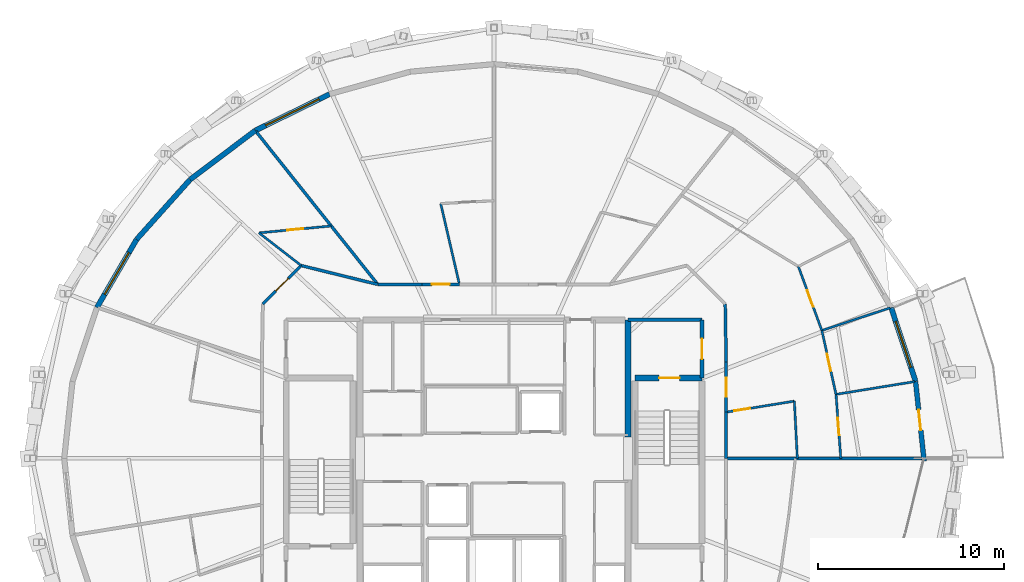
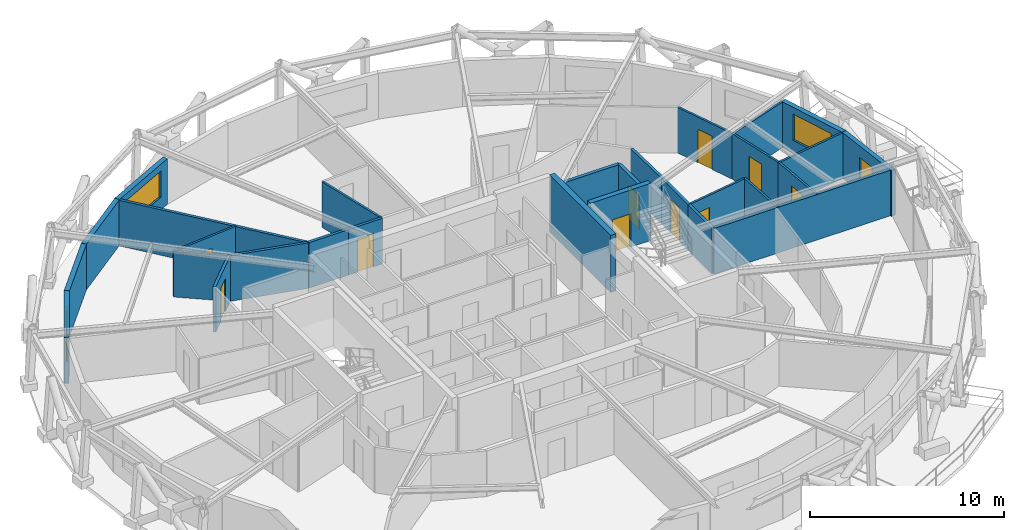
# One storey, part 10 of 12: 29 walls, 11 doors, 3 windows, 14 openings.
"""IFC4 building model written with IfcOpenShell, lengths in metres."""

import ifcopenshell
import ifcopenshell.guid

model = None  # the IFC model being written
_history = None  # IfcOwnerHistory: only IFC2X3 demands one
_inside = {}  # id of a spatial element -> (the spatial element, [elements in it])
_under = {}  # id of a project, library or spatial element -> (it, [spatial elements below it])
_declared = {}  # id of a project -> (the project, [libraries it declares])
_typed = {}  # id of a type object -> (the type object, [elements of that type])
_made_of = {}  # id of a material, layer set ... -> (it, [elements and type objects made of it])


def new_model(schema):
    """Start an empty IFC model of exactly this schema.

    Asked for "IFC4X3", IfcOpenShell would pick the latest addendum, in which some entities
    have other attributes; the version numbers below select the first issue.
    IFC2X3 requires an IfcOwnerHistory on every rooted entity: one is made here for all.
    """
    global model, _history
    if schema == "IFC4X3":
        model = ifcopenshell.file(schema_version=(4, 3, 0, 0))
    else:
        model = ifcopenshell.file(schema=schema)
    _inside.clear()
    _under.clear()
    _declared.clear()
    _typed.clear()
    _made_of.clear()
    _history = None
    if model.schema == "IFC2X3":
        org = make("IfcOrganization", Name="unknown")
        user = make(
            "IfcPersonAndOrganization",
            ThePerson=make("IfcPerson", FamilyName="unknown"),
            TheOrganization=org,
        )
        app = make(
            "IfcApplication",
            ApplicationDeveloper=org,
            Version="unknown",
            ApplicationFullName="unknown",
            ApplicationIdentifier="unknown",
        )
        _history = make(
            "IfcOwnerHistory",
            OwningUser=user,
            OwningApplication=app,
            ChangeAction="ADDED",
            CreationDate=0,
        )
    return model


def make(cls, **values):
    """One entity of the class cls with the attributes given. An attribute that is None is left unset."""
    return model.create_entity(
        cls, **{name: value for name, value in values.items() if value is not None}
    )


def rooted(cls, **values):
    """An entity with a GlobalId (a new one), such as an element, a storey or a relation."""
    return make(cls, GlobalId=ifcopenshell.guid.new(), OwnerHistory=_history, **values)


def si_unit(unit_type, name, prefix=None):
    """IfcSIUnit, for example si_unit("LENGTHUNIT", "METRE", prefix="MILLI")."""
    return make("IfcSIUnit", UnitType=unit_type, Prefix=prefix, Name=name)


def assignment(units):
    """IfcUnitAssignment: the units of a project."""
    return None if units is None else make("IfcUnitAssignment", Units=units)


def point(xyz):
    """IfcCartesianPoint."""
    return None if xyz is None else make("IfcCartesianPoint", Coordinates=xyz)


def direction(xyz):
    """IfcDirection."""
    return None if xyz is None else make("IfcDirection", DirectionRatios=xyz)


def frame(location, z_axis=None, x_axis=None):
    """IfcAxis2Placement3D, a coordinate frame: its origin and axes. An axis left out is left unset."""
    return make(
        "IfcAxis2Placement3D",
        Location=point(location),
        Axis=direction(z_axis),
        RefDirection=direction(x_axis),
    )


def frame_2d(location, x_axis=None):
    """IfcAxis2Placement2D, a coordinate frame in the plane: its origin and x axis."""
    return make(
        "IfcAxis2Placement2D", Location=point(location), RefDirection=direction(x_axis)
    )


def origin():
    """The frame at (0, 0, 0) with its axes left unset."""
    return frame((0.0, 0.0, 0.0))


def place(relative_to, where):
    """IfcLocalPlacement: puts the frame where relative to a parent placement (None: the world)."""
    return make(
        "IfcLocalPlacement", PlacementRelTo=relative_to, RelativePlacement=where
    )


def context(
    kind, dimensions, precision=None, world=None, true_north=None, identifier=None
):
    """IfcGeometricRepresentationContext, for example the 3D "Model" context."""
    return make(
        "IfcGeometricRepresentationContext",
        ContextIdentifier=identifier,
        ContextType=kind,
        CoordinateSpaceDimension=dimensions,
        Precision=precision,
        WorldCoordinateSystem=world,
        TrueNorth=true_north,
    )


def subcontext(parent, identifier, kind, view, scale=None):
    """IfcGeometricRepresentationSubContext, for example "Body" below "Model"."""
    return make(
        "IfcGeometricRepresentationSubContext",
        ContextIdentifier=identifier,
        ContextType=kind,
        ParentContext=parent,
        TargetScale=scale,
        TargetView=view,
    )


def project(units=None, contexts=None):
    """IfcProject with its units and contexts."""
    return rooted(
        "IfcProject",
        Name="project",
        RepresentationContexts=contexts,
        UnitsInContext=assignment(units),
    )


def spatial(cls, under=None, at=None, **own):
    """A site, building, storey or space (cls), placed at a placement, below another one or the project."""
    s = rooted(cls, ObjectPlacement=at, **own)
    if under is not None:
        _under.setdefault(under.id(), (under, []))[1].append(s)
    return s


def profile(cls, at=None, kind="AREA", **sizes):
    """A parametric profile (cls). Its sizes go by their IFC names, for example OverallWidth=200.0."""
    return make(cls, ProfileType=kind, Position=at, **sizes)


def rectangle(**sizes):
    """IfcRectangleProfileDef."""
    return profile("IfcRectangleProfileDef", **sizes)


def extrude(swept, where, along, depth):
    """IfcExtrudedAreaSolid: the profile swept, set in the frame where, extruded along a direction by depth."""
    return make(
        "IfcExtrudedAreaSolid",
        SweptArea=swept,
        Position=where,
        ExtrudedDirection=direction(along),
        Depth=depth,
    )


def shape(context_of_items, identifier, shape_type, items):
    """IfcShapeRepresentation: the items that make up one representation, for example the "Body"."""
    return make(
        "IfcShapeRepresentation",
        ContextOfItems=context_of_items,
        RepresentationIdentifier=identifier,
        RepresentationType=shape_type,
        Items=items,
    )


def material(Name=None, Category=None):
    """IfcMaterial."""
    return make("IfcMaterial", Name=Name, Category=Category)


def layer(
    of_material, thickness, ventilated=None, Name=None, Category=None, Priority=None
):
    """IfcMaterialLayer: one layer of a wall or slab, of a material (None: an air gap)."""
    return make(
        "IfcMaterialLayer",
        Material=of_material,
        LayerThickness=thickness,
        IsVentilated=ventilated,
        Name=Name,
        Category=Category,
        Priority=Priority,
    )


def layer_set(layers, Name=None):
    """IfcMaterialLayerSet."""
    return make("IfcMaterialLayerSet", MaterialLayers=layers, LayerSetName=Name)


def made_of(thing, what):
    """Note that an element or type object is made of a material, layer set ...; save() writes the relation."""
    if what is not None:
        _made_of.setdefault(what.id(), (what, []))[1].append(thing)
    return thing


def type_object(cls, material=None, **own):
    """A type object (cls), such as IfcWallType, which elements share."""
    return made_of(rooted(cls, **own), material)


def element(
    cls,
    number,
    at=None,
    inside=None,
    cuts=None,
    type_object=None,
    material=None,
    context=None,
    identifier="Body",
    shape_type=None,
    held_by="IfcProductDefinitionShape",
    body=None,
    shapes=None,
    **own,
):
    """One element of the class cls, such as IfcWall. Its Tag is "e" and its number.

    at: its placement. inside: the storey or other place that contains it. cuts: it is an
    opening in that element (IfcRelVoidsElement). A single representation is given by context,
    identifier, shape_type and body (its items); several are given by shapes. held_by: the class
    of the entity that holds the representations. save() writes the other relations.
    """
    e = rooted(cls, Tag="e%d" % number, ObjectPlacement=at, **own)
    if body is not None:
        shapes = [shape(context, identifier, shape_type, body)]
    if shapes is not None:
        e.Representation = make(held_by, Representations=shapes)
    if inside is not None:
        _inside.setdefault(inside.id(), (inside, []))[1].append(e)
    if cuts is not None:
        rooted(
            "IfcRelVoidsElement", RelatingBuildingElement=cuts, RelatedOpeningElement=e
        )
    if type_object is not None:
        _typed.setdefault(type_object.id(), (type_object, []))[1].append(e)
    return made_of(e, material)


def fill(opening, filler):
    """IfcRelFillsElement: the door or window that sits in an opening."""
    return rooted(
        "IfcRelFillsElement",
        RelatingOpeningElement=opening,
        RelatedBuildingElement=filler,
    )


def aggregate(whole, parts):
    """IfcRelAggregates: a whole, such as a stair, and the parts it consists of."""
    return rooted("IfcRelAggregates", RelatingObject=whole, RelatedObjects=parts)


def save(model, path):
    """Write the relations noted so far, then the file.

    IfcRelAggregates (storeys below a building ...), IfcRelContainedInSpatialStructure (elements
    in a storey), IfcRelDefinesByType, IfcRelAssociatesMaterial and IfcRelDeclares: one each for
    every whole, place, type object, material and project.
    """
    for whole, parts in _under.values():
        aggregate(whole, parts)
    for where, things in _inside.values():
        rooted(
            "IfcRelContainedInSpatialStructure",
            RelatedElements=things,
            RelatingStructure=where,
        )
    for kind, things in _typed.values():
        rooted("IfcRelDefinesByType", RelatedObjects=things, RelatingType=kind)
    for what, things in _made_of.values():
        rooted("IfcRelAssociatesMaterial", RelatedObjects=things, RelatingMaterial=what)
    for by, libraries in _declared.values():
        rooted("IfcRelDeclares", RelatingContext=by, RelatedDefinitions=libraries)
    model.write(path)


model = new_model("IFC4")

# Units and contexts
model_context = context("Model", 3, precision=1e-05, world=origin(), true_north=direction((0.0, 1.0)))
body_context = subcontext(model_context, "Body", "Model", "MODEL_VIEW")
ifc_project = project(units=[si_unit("LENGTHUNIT", "METRE"), si_unit("AREAUNIT", "SQUARE_METRE"), si_unit("VOLUMEUNIT", "CUBIC_METRE"), si_unit("PLANEANGLEUNIT", "RADIAN"), si_unit("MASSUNIT", "GRAM", prefix="KILO")], contexts=[model_context])

# Site, building, storey
site_placement = place(None, origin())
site = spatial("IfcSite", under=ifc_project, at=site_placement, CompositionType="ELEMENT")
building_placement = place(site_placement, origin())
building = spatial("IfcBuilding", under=site, at=building_placement, Name="Veldorina Hangang Commons", CompositionType="ELEMENT")
storey_placement = place(building_placement, frame((0.0, 0.0, 222.0)))
storey = spatial("IfcBuildingStorey", under=building, at=storey_placement, Name="L57", CompositionType="ELEMENT", Elevation=222.0)

# Wall
ifc_material_1 = material(Name="Concrete C50/60", Category="concrete")
ifc_layer_1 = layer(ifc_material_1, 0.320068359375)
ifc_layer_set_1 = layer_set([ifc_layer_1], Name="Concrete C50/60")
wall_type_1 = type_object("IfcWallType", Name="CW-RC320-C50", PredefinedType="SHEAR", material=ifc_layer_set_1)
wall_1_placement = place(storey_placement, frame((39.199951171875, 25.14990234375, 0.0), z_axis=(0.0, 0.0, 1.0), x_axis=(0.0, 1.0, 0.0)))
element("IfcWall", 1, at=wall_1_placement, inside=storey, type_object=wall_type_1, Name="L57 E north core shear wall", PredefinedType="SHEAR", context=body_context, shape_type="SweptSolid", body=[
    extrude(rectangle(XDim=6.300048828125, YDim=0.320068359375, at=frame_2d((3.14990234375, 0.0))), origin(), (0.0, 0.0, 1.0), 3.60009765625),
])

# Wall, opening, door
ifc_material_2 = material(Name="Stone Roman Travertine", Category="masonry")
ifc_layer_2 = layer(ifc_material_2, 0.260009765625)
ifc_layer_set_2 = layer_set([ifc_layer_2], Name="Stone Roman Travertine")
wall_type_2 = type_object("IfcWallType", Name="EW-LOGGIA-260", PredefinedType="STANDARD", material=ifc_layer_set_2)
wall_2_placement = place(storey_placement, frame((55.121826171875, 23.84716796875, 0.0), z_axis=(0.0, 0.0, 1.0), x_axis=(-0.106721032367, 0.994289002881, 0.0)))
wall_2 = element("IfcWall", 2, at=wall_2_placement, inside=storey, type_object=wall_type_2, Name="L57 sky-garden loggia portal wall 00", PredefinedType="STANDARD", context=body_context, shape_type="SweptSolid", body=[
    extrude(rectangle(XDim=4.312255859375, YDim=0.260009765625, at=frame_2d((2.15625, 0.0))), origin(), (0.0, 0.0, 1.0), 2.8798828125),
])
opening_1_placement = place(wall_2_placement, frame((1.68310546875, 0.0, 0.0)))
opening_1 = element("IfcOpeningElement", 3, at=opening_1_placement, cuts=wall_2, Name="Opening BD-1100", PredefinedType="OPENING", context=body_context, shape_type="SweptSolid", body=[
    extrude(rectangle(XDim=1.10009765625, YDim=2.14990234375, at=frame_2d((0.550048828125, 1.074951171875))), frame((0.0, 0.14013671875, 0.0), z_axis=(0.0, -1.0, 0.0), x_axis=(1.0, 0.0, 0.0)), (0.0, 0.0, 1.0), 0.280029296875),
])
ifc_material_3 = material(Name="Glass Thermal Aluminium Frame", Category="aluminium")
door_type_1 = type_object("IfcDoorType", Name="DR-EXT-BAL1100", OperationType="SINGLE_SWING_RIGHT", PredefinedType="DOOR", material=ifc_material_3)
door_1_placement = place(opening_1_placement, origin())
door_1 = element("IfcDoor", 4, at=door_1_placement, inside=storey, type_object=door_type_1, Name="L57 tree balcony glazed exterior door 00", OperationType="SINGLE_SWING_LEFT", OverallHeight=2.14990234375, OverallWidth=1.10009765625, PredefinedType="DOOR", context=body_context, shape_type="SweptSolid", body=[
    extrude(rectangle(XDim=1.10009765625, YDim=2.14990234375, at=frame_2d((0.550048828125, 1.074951171875))), frame((0.0, 0.02490234375, 0.0), z_axis=(0.0, -1.0, 0.0), x_axis=(1.0, 0.0, 0.0)), (0.0, 0.0, 1.0), 0.050048828125),
])
fill(opening_1, door_1)

# Wall, opening, window
ifc_layer_3 = layer(ifc_material_2, 0.280029296875)
ifc_layer_set_3 = layer_set([ifc_layer_3], Name="Stone Roman Travertine")
wall_type_3 = type_object("IfcWallType", Name="EW-TRAV-280", PredefinedType="STANDARD", material=ifc_layer_set_3)
wall_3_placement = place(storey_placement, frame((54.66162109375, 28.134765625, 0.0), z_axis=(0.0, 0.0, 1.0), x_axis=(-0.313988276285, 0.949426859929, 0.0)))
wall_3 = element("IfcWall", 5, at=wall_3_placement, inside=storey, type_object=wall_type_3, Name="L57 travertine facade wall 01", PredefinedType="STANDARD", context=body_context, shape_type="SweptSolid", body=[
    extrude(rectangle(XDim=4.18798828125, YDim=0.280029296875, at=frame_2d((2.093994140625, 0.0))), origin(), (0.0, 0.0, 1.0), 2.8798828125),
])
opening_2_placement = place(wall_3_placement, frame((0.7939453125, 0.0, 0.800048828125)))
opening_2 = element("IfcOpeningElement", 6, at=opening_2_placement, cuts=wall_3, Name="Opening W-02", PredefinedType="OPENING", context=body_context, shape_type="SweptSolid", body=[
    extrude(rectangle(XDim=2.60009765625, YDim=1.64990234375, at=frame_2d((1.300048828125, 0.824951171875))), frame((0.0, 0.14990234375, 0.0), z_axis=(0.0, -1.0, 0.0), x_axis=(1.0, 0.0, 0.0)), (0.0, 0.0, 1.0), 0.300048828125),
])
ifc_material_4 = material(Name="Glass Low-E Triple IGU", Category="glass")
window_type_1 = type_object("IfcWindowType", Name="WIN-TWR-2600", PartitioningType="SINGLE_PANEL", PredefinedType="WINDOW", material=ifc_material_4)
window_1_placement = place(opening_2_placement, origin())
window_1 = element("IfcWindow", 7, at=window_1_placement, inside=storey, type_object=window_type_1, Name="L57 facade window 01", OverallHeight=1.64990234375, OverallWidth=2.60009765625, PartitioningType="SINGLE_PANEL", PredefinedType="WINDOW", context=body_context, shape_type="SweptSolid", body=[
    extrude(rectangle(XDim=2.60009765625, YDim=1.64990234375, at=frame_2d((1.300048828125, 0.824951171875))), frame((0.0, 0.030029296875, 0.0), z_axis=(0.0, -1.0, 0.0), x_axis=(1.0, 0.0, 0.0)), (0.0, 0.0, 1.0), 0.06005859375),
])
fill(opening_2, window_1)

wall_4_placement = place(storey_placement, frame((23.157958984375, 43.581298828125, 0.0), z_axis=(0.0, 0.0, 1.0), x_axis=(-0.897868409718, -0.440263919519, 0.0)))
wall_4 = element("IfcWall", 8, at=wall_4_placement, inside=storey, type_object=wall_type_3, Name="L57 travertine facade wall 10", PredefinedType="STANDARD", context=body_context, shape_type="SweptSolid", body=[
    extrude(rectangle(XDim=4.448974609375, YDim=0.280029296875, at=frame_2d((2.224609375, 0.0))), origin(), (0.0, 0.0, 1.0), 2.8798828125),
])
opening_3_placement = place(wall_4_placement, frame((0.62451171875, 0.0, 0.800048828125)))
opening_3 = element("IfcOpeningElement", 9, at=opening_3_placement, cuts=wall_4, Name="Opening W-01", PredefinedType="OPENING", context=body_context, shape_type="SweptSolid", body=[
    extrude(rectangle(XDim=3.199951171875, YDim=1.64990234375, at=frame_2d((1.60009765625, 0.824951171875))), frame((0.0, 0.14990234375, 0.0), z_axis=(0.0, -1.0, 0.0), x_axis=(1.0, 0.0, 0.0)), (0.0, 0.0, 1.0), 0.300048828125),
])
window_type_2 = type_object("IfcWindowType", Name="WIN-TWR-3200", PartitioningType="SINGLE_PANEL", PredefinedType="WINDOW", material=ifc_material_4)
window_2_placement = place(opening_3_placement, origin())
window_2 = element("IfcWindow", 10, at=window_2_placement, inside=storey, type_object=window_type_2, Name="L57 facade window 10", OverallHeight=1.64990234375, OverallWidth=3.199951171875, PartitioningType="SINGLE_PANEL", PredefinedType="WINDOW", context=body_context, shape_type="SweptSolid", body=[
    extrude(rectangle(XDim=3.199951171875, YDim=1.64990234375, at=frame_2d((1.60009765625, 0.824951171875))), frame((0.0, 0.030029296875, 0.0), z_axis=(0.0, -1.0, 0.0), x_axis=(1.0, 0.0, 0.0)), (0.0, 0.0, 1.0), 0.06005859375),
])
fill(opening_3, window_2)

# Walls
wall_5_placement = place(storey_placement, frame((19.163330078125, 41.62255859375, 0.0), z_axis=(0.0, 0.0, 1.0), x_axis=(-0.798942565337, -0.601407330594, 0.0)))
element("IfcWall", 11, at=wall_5_placement, inside=storey, type_object=wall_type_3, Name="L57 travertine facade wall 11", PredefinedType="STANDARD", context=body_context, shape_type="SweptSolid", body=[
    extrude(rectangle(XDim=4.382568359375, YDim=0.280029296875, at=frame_2d((2.19140625, 0.0))), origin(), (0.0, 0.0, 1.0), 2.8798828125),
])
wall_6_placement = place(storey_placement, frame((15.661865234375, 38.98681640625, 0.0), z_axis=(0.0, 0.0, 1.0), x_axis=(-0.666726962521, -0.745302057858, 0.0)))
element("IfcWall", 12, at=wall_6_placement, inside=storey, type_object=wall_type_3, Name="L57 travertine facade wall 12", PredefinedType="STANDARD", context=body_context, shape_type="SweptSolid", body=[
    extrude(rectangle(XDim=4.3095703125, YDim=0.280029296875, at=frame_2d((2.15478515625, 0.0))), origin(), (0.0, 0.0, 1.0), 2.8798828125),
])

# Wall, opening, window
wall_7_placement = place(storey_placement, frame((12.78857421875, 35.77490234375, 0.0), z_axis=(0.0, 0.0, 1.0), x_axis=(-0.503498718903, -0.863995972249, 0.0)))
wall_7 = element("IfcWall", 13, at=wall_7_placement, inside=storey, type_object=wall_type_3, Name="L57 travertine facade wall 13", PredefinedType="STANDARD", context=body_context, shape_type="SweptSolid", body=[
    extrude(rectangle(XDim=4.24072265625, YDim=0.280029296875, at=frame_2d((2.120361328125, 0.0))), origin(), (0.0, 0.0, 1.0), 2.8798828125),
])
opening_4_placement = place(wall_7_placement, frame((0.820556640625, 0.0, 0.800048828125)))
opening_4 = element("IfcOpeningElement", 14, at=opening_4_placement, cuts=wall_7, Name="Opening W-02", PredefinedType="OPENING", context=body_context, shape_type="SweptSolid", body=[
    extrude(rectangle(XDim=2.60009765625, YDim=1.64990234375, at=frame_2d((1.300048828125, 0.824951171875))), frame((0.0, 0.14990234375, 0.0), z_axis=(0.0, -1.0, 0.0), x_axis=(1.0, 0.0, 0.0)), (0.0, 0.0, 1.0), 0.300048828125),
])
window_3_placement = place(opening_4_placement, origin())
window_3 = element("IfcWindow", 15, at=window_3_placement, inside=storey, type_object=window_type_1, Name="L57 facade window 13", OverallHeight=1.64990234375, OverallWidth=2.60009765625, PartitioningType="SINGLE_PANEL", PredefinedType="WINDOW", context=body_context, shape_type="SweptSolid", body=[
    extrude(rectangle(XDim=2.60009765625, YDim=1.64990234375, at=frame_2d((1.300048828125, 0.824951171875))), frame((0.0, 0.030029296875, 0.0), z_axis=(0.0, -1.0, 0.0), x_axis=(1.0, 0.0, 0.0)), (0.0, 0.0, 1.0), 0.06005859375),
])
fill(opening_4, window_3)

# Wall, opening, door
ifc_layer_4 = layer(ifc_material_1, 0.300048828125)
ifc_layer_set_4 = layer_set([ifc_layer_4], Name="Concrete C50/60")
wall_type_4 = type_object("IfcWallType", Name="SW-STAIR-300", PredefinedType="SHEAR", material=ifc_layer_set_4)
wall_8_placement = place(storey_placement, frame((39.580078125, 28.320068359375, 0.0), z_axis=(0.0, 0.0, 1.0), x_axis=(1.0, 0.0, 0.0)))
wall_8 = element("IfcWall", 16, at=wall_8_placement, inside=storey, type_object=wall_type_4, Name="L57 ST2 north stair shear wall", PredefinedType="SHEAR", context=body_context, shape_type="SweptSolid", body=[
    extrude(rectangle(XDim=3.599853515625, YDim=0.300048828125, at=frame_2d((1.7998046875, 0.0))), origin(), (0.0, 0.0, 1.0), 3.60009765625),
])
opening_5_placement = place(wall_8_placement, frame((1.300048828125, 0.0, 0.0)))
opening_5 = element("IfcOpeningElement", 17, at=opening_5_placement, cuts=wall_8, Name="Opening D-08", PredefinedType="OPENING", context=body_context, shape_type="SweptSolid", body=[
    extrude(rectangle(XDim=1.10009765625, YDim=2.10009765625, at=frame_2d((0.550048828125, 1.050048828125))), frame((0.0, 0.16015625, 0.0), z_axis=(0.0, -1.0, 0.0), x_axis=(1.0, 0.0, 0.0)), (0.0, 0.0, 1.0), 0.320068359375),
])
ifc_material_5 = material(Name="Steel Fire-Rated Smoke Seal", Category="steel")
door_type_2 = type_object("IfcDoorType", Name="DR-FIRE-1100", OperationType="SINGLE_SWING_RIGHT", PredefinedType="DOOR", material=ifc_material_5)
door_2_placement = place(opening_5_placement, origin())
door_2 = element("IfcDoor", 18, at=door_2_placement, inside=storey, type_object=door_type_2, Name="L57 Special Escape Stair ST-2 door", OperationType="SINGLE_SWING_RIGHT", OverallHeight=2.10009765625, OverallWidth=1.10009765625, PredefinedType="DOOR", context=body_context, shape_type="SweptSolid", body=[
    extrude(rectangle(XDim=1.10009765625, YDim=2.10009765625, at=frame_2d((0.550048828125, 1.050048828125))), frame((0.0, 0.02490234375, 0.0), z_axis=(0.0, -1.0, 0.0), x_axis=(1.0, 0.0, 0.0)), (0.0, 0.0, 1.0), 0.050048828125),
])
fill(opening_5, door_2)

# Wall
ifc_material_6 = material(Name="Gypsum Fire-Rated Twin Stud Wall", Category="gypsum")
ifc_layer_5 = layer(ifc_material_6, 0.159912109375)
ifc_layer_set_5 = layer_set([ifc_layer_5], Name="Gypsum Fire-Rated Twin Stud Wall")
wall_type_5 = type_object("IfcWallType", Name="WL-FIRE-160", PredefinedType="SOLIDWALL", material=ifc_layer_set_5)
wall_9_placement = place(storey_placement, frame((44.47998046875, 24.0, 0.0), z_axis=(0.0, 0.0, 1.0), x_axis=(0.0, 1.0, 0.0)))
element("IfcWall", 19, at=wall_9_placement, inside=storey, type_object=wall_type_5, Name="L57 Compact collar outer wall 00 054", PredefinedType="SOLIDWALL", context=body_context, shape_type="SweptSolid", body=[
    extrude(rectangle(XDim=2.482421875, YDim=0.159912109375, at=frame_2d((1.2412109375, 0.0))), origin(), (0.0, 0.0, 1.0), 2.8701171875),
])

# Wall, opening, door
wall_10_placement = place(storey_placement, frame((44.47998046875, 26.482421875, 0.0), z_axis=(0.0, 0.0, 1.0), x_axis=(0.0, 1.0, 0.0)))
wall_10 = element("IfcWall", 20, at=wall_10_placement, inside=storey, type_object=wall_type_5, Name="L57 Compact collar outer wall 01 055", PredefinedType="SOLIDWALL", context=body_context, shape_type="SweptSolid", body=[
    extrude(rectangle(XDim=2.68701171875, YDim=0.159912109375, at=frame_2d((1.343505859375, 0.0))), origin(), (0.0, 0.0, 1.0), 2.8701171875),
])
opening_6_placement = place(wall_10_placement, frame((0.843505859375, 0.0, 0.0)))
opening_6 = element("IfcOpeningElement", 21, at=opening_6_placement, cuts=wall_10, Name="Opening D-06", PredefinedType="OPENING", context=body_context, shape_type="SweptSolid", body=[
    extrude(rectangle(XDim=1.0, YDim=2.10009765625, at=frame_2d((0.5, 1.050048828125))), frame((0.0, 0.08984375, 0.0), z_axis=(0.0, -1.0, 0.0), x_axis=(1.0, 0.0, 0.0)), (0.0, 0.0, 1.0), 0.179931640625),
])
ifc_material_7 = material(Name="Timber Fire-Rated Entrance Core", Category="wood")
door_type_3 = type_object("IfcDoorType", Name="DR-UNIT-1000", OperationType="SINGLE_SWING_LEFT", PredefinedType="DOOR", material=ifc_material_7)
door_3_placement = place(opening_6_placement, origin())
door_3 = element("IfcDoor", 22, at=door_3_placement, inside=storey, type_object=door_type_3, Name="L57 Cluster 2 entrance door 025", OperationType="SINGLE_SWING_LEFT", OverallHeight=2.10009765625, OverallWidth=1.0, PredefinedType="DOOR", context=body_context, shape_type="SweptSolid", body=[
    extrude(rectangle(XDim=1.0, YDim=2.10009765625, at=frame_2d((0.5, 1.050048828125))), frame((0.0, 0.02490234375, 0.0), z_axis=(0.0, -1.0, 0.0), x_axis=(1.0, 0.0, 0.0)), (0.0, 0.0, 1.0), 0.050048828125),
])
fill(opening_6, door_3)

# Wall
wall_11_placement = place(storey_placement, frame((44.47998046875, 29.16943359375, 0.0), z_axis=(0.0, 0.0, 1.0), x_axis=(-0.016981035134, 0.999855811828, 0.0)))
element("IfcWall", 23, at=wall_11_placement, inside=storey, type_object=wall_type_5, Name="L57 Compact collar outer wall 02 056", PredefinedType="SOLIDWALL", context=body_context, shape_type="SweptSolid", body=[
    extrude(rectangle(XDim=3.13427734375, YDim=0.159912109375, at=frame_2d((1.567138671875, 0.0))), origin(), (0.0, 0.0, 1.0), 2.8701171875),
])

# Wall, opening, door
wall_12_placement = place(storey_placement, frame((30.14013671875, 33.35009765625, 0.0), z_axis=(0.0, 0.0, 1.0), x_axis=(-1.0, 0.0, 0.0)))
wall_12 = element("IfcWall", 24, at=wall_12_placement, inside=storey, type_object=wall_type_5, Name="L57 Compact collar outer wall 09 063", PredefinedType="SOLIDWALL", context=body_context, shape_type="SweptSolid", body=[
    extrude(rectangle(XDim=2.012939453125, YDim=0.159912109375, at=frame_2d((1.00634765625, 0.0))), origin(), (0.0, 0.0, 1.0), 2.8701171875),
])
opening_7_placement = place(wall_12_placement, frame((0.531494140625, 0.0, 0.0)))
opening_7 = element("IfcOpeningElement", 25, at=opening_7_placement, cuts=wall_12, Name="Opening D-03", PredefinedType="OPENING", context=body_context, shape_type="SweptSolid", body=[
    extrude(rectangle(XDim=0.949951171875, YDim=2.10009765625, at=frame_2d((0.47509765625, 1.050048828125))), frame((0.0, 0.08984375, 0.0), z_axis=(0.0, -1.0, 0.0), x_axis=(1.0, 0.0, 0.0)), (0.0, 0.0, 1.0), 0.179931640625),
])
door_type_4 = type_object("IfcDoorType", Name="DR-UNIT-950", OperationType="SINGLE_SWING_RIGHT", PredefinedType="DOOR", material=ifc_material_7)
door_4_placement = place(opening_7_placement, origin())
door_4 = element("IfcDoor", 26, at=door_4_placement, inside=storey, type_object=door_type_4, Name="L57 Studio 4 entrance door 033", OperationType="SINGLE_SWING_LEFT", OverallHeight=2.10009765625, OverallWidth=0.949951171875, PredefinedType="DOOR", context=body_context, shape_type="SweptSolid", body=[
    extrude(rectangle(XDim=0.949951171875, YDim=2.10009765625, at=frame_2d((0.47509765625, 1.050048828125))), frame((0.0, 0.02490234375, 0.0), z_axis=(0.0, -1.0, 0.0), x_axis=(1.0, 0.0, 0.0)), (0.0, 0.0, 1.0), 0.050048828125),
])
fill(opening_7, door_4)

# Walls
wall_13_placement = place(storey_placement, frame((28.127197265625, 33.35009765625, 0.0), z_axis=(0.0, 0.0, 1.0), x_axis=(-1.0, 0.0, 0.0)))
element("IfcWall", 27, at=wall_13_placement, inside=storey, type_object=wall_type_5, Name="L57 Compact collar outer wall 10 064", PredefinedType="SOLIDWALL", context=body_context, shape_type="SweptSolid", body=[
    extrude(rectangle(XDim=2.374755859375, YDim=0.159912109375, at=frame_2d((1.1875, 0.0))), origin(), (0.0, 0.0, 1.0), 2.8701171875),
])
wall_14_placement = place(storey_placement, frame((25.75244140625, 33.35009765625, 0.0), z_axis=(0.0, 0.0, 1.0), x_axis=(-0.970939799552, 0.239323850978, 0.0)))
element("IfcWall", 28, at=wall_14_placement, inside=storey, type_object=wall_type_5, Name="L57 Compact collar outer wall 11 065", PredefinedType="SOLIDWALL", context=body_context, shape_type="SweptSolid", body=[
    extrude(rectangle(XDim=4.24072265625, YDim=0.159912109375, at=frame_2d((2.120361328125, 0.0))), origin(), (0.0, 0.0, 1.0), 2.8701171875),
])

# Wall, opening, door
wall_15_placement = place(storey_placement, frame((21.635009765625, 34.364990234375, 0.0), z_axis=(0.0, 0.0, 1.0), x_axis=(-0.707106781187, -0.707106781187, 0.0)))
wall_15 = element("IfcWall", 29, at=wall_15_placement, inside=storey, type_object=wall_type_5, Name="L57 Compact collar outer wall 12 066", PredefinedType="SOLIDWALL", context=body_context, shape_type="SweptSolid", body=[
    extrude(rectangle(XDim=2.915771484375, YDim=0.159912109375, at=frame_2d((1.4580078125, 0.0))), origin(), (0.0, 0.0, 1.0), 2.8701171875),
])
opening_8_placement = place(wall_15_placement, frame((0.98291015625, 0.0, 0.0)))
opening_8 = element("IfcOpeningElement", 30, at=opening_8_placement, cuts=wall_15, Name="Opening D-03", PredefinedType="OPENING", context=body_context, shape_type="SweptSolid", body=[
    extrude(rectangle(XDim=0.949951171875, YDim=2.10009765625, at=frame_2d((0.47509765625, 1.050048828125))), frame((0.0, 0.08984375, 0.0), z_axis=(0.0, -1.0, 0.0), x_axis=(1.0, 0.0, 0.0)), (0.0, 0.0, 1.0), 0.179931640625),
])
door_5_placement = place(opening_8_placement, origin())
door_5 = element("IfcDoor", 31, at=door_5_placement, inside=storey, type_object=door_type_4, Name="L57 Studio 5 entrance door 035", OperationType="SINGLE_SWING_LEFT", OverallHeight=2.10009765625, OverallWidth=0.949951171875, PredefinedType="DOOR", context=body_context, shape_type="SweptSolid", body=[
    extrude(rectangle(XDim=0.949951171875, YDim=2.10009765625, at=frame_2d((0.47509765625, 1.050048828125))), frame((0.0, 0.02490234375, 0.0), z_axis=(0.0, -1.0, 0.0), x_axis=(1.0, 0.0, 0.0)), (0.0, 0.0, 1.0), 0.050048828125),
])
fill(opening_8, door_5)

# Walls
wall_16_placement = place(storey_placement, frame((44.47998046875, 24.0, 0.0), z_axis=(0.0, 0.0, 1.0), x_axis=(1.0, 0.0, 0.0)))
element("IfcWall", 32, at=wall_16_placement, inside=storey, type_object=wall_type_5, Name="L57 Unit party wall 00 091", PredefinedType="SOLIDWALL", context=body_context, shape_type="SweptSolid", body=[
    extrude(rectangle(XDim=10.575439453125, YDim=0.159912109375, at=frame_2d((5.28759765625, 0.0))), origin(), (0.0, 0.0, 1.0), 2.8701171875),
])
wall_17_placement = place(storey_placement, frame((25.75244140625, 33.35009765625, 0.0), z_axis=(0.0, 0.0, 1.0), x_axis=(-0.623021929745, 0.782204369112, 0.0)))
element("IfcWall", 33, at=wall_17_placement, inside=storey, type_object=wall_type_5, Name="L57 Unit party wall 11 107", PredefinedType="SOLIDWALL", context=body_context, shape_type="SweptSolid", body=[
    extrude(rectangle(XDim=10.52587890625, YDim=0.159912109375, at=frame_2d((5.262939453125, 0.0))), origin(), (0.0, 0.0, 1.0), 2.8701171875),
])

# Wall, opening, door
ifc_material_8 = material(Name="Concrete Blockwork Fire Wall C30/37", Category="masonry")
ifc_layer_6 = layer(ifc_material_8, 0.199951171875)
ifc_layer_set_6 = layer_set([ifc_layer_6], Name="Concrete Blockwork Fire Wall C30/37")
wall_type_6 = type_object("IfcWallType", Name="WL-FIRE-200", PredefinedType="SOLIDWALL", material=ifc_layer_set_6)
wall_18_placement = place(storey_placement, frame((43.179931640625, 28.320068359375, 0.0), z_axis=(0.0, 0.0, 1.0), x_axis=(0.0, 1.0, 0.0)))
wall_18 = element("IfcWall", 34, at=wall_18_placement, inside=storey, type_object=wall_type_6, Name="L57 East vestibule outer wall 003", PredefinedType="SOLIDWALL", context=body_context, shape_type="SweptSolid", body=[
    extrude(rectangle(XDim=3.1298828125, YDim=0.199951171875, at=frame_2d((1.56494140625, 0.0))), origin(), (0.0, 0.0, 1.0), 2.8701171875),
])
opening_9_placement = place(wall_18_placement, frame((1.014892578125, 0.0, 0.0)))
opening_9 = element("IfcOpeningElement", 35, at=opening_9_placement, cuts=wall_18, Name="Opening D-08", PredefinedType="OPENING", context=body_context, shape_type="SweptSolid", body=[
    extrude(rectangle(XDim=1.10009765625, YDim=2.10009765625, at=frame_2d((0.550048828125, 1.050048828125))), frame((0.0, 0.10986328125, 0.0), z_axis=(0.0, -1.0, 0.0), x_axis=(1.0, 0.0, 0.0)), (0.0, 0.0, 1.0), 0.219970703125),
])
door_6_placement = place(opening_9_placement, origin())
door_6 = element("IfcDoor", 36, at=door_6_placement, inside=storey, type_object=door_type_2, Name="L57 East vestibule east door 002", OperationType="SINGLE_SWING_RIGHT", OverallHeight=2.10009765625, OverallWidth=1.10009765625, PredefinedType="DOOR", context=body_context, shape_type="SweptSolid", body=[
    extrude(rectangle(XDim=1.10009765625, YDim=2.10009765625, at=frame_2d((0.550048828125, 1.050048828125))), frame((0.0, 0.02490234375, 0.0), z_axis=(0.0, -1.0, 0.0), x_axis=(1.0, 0.0, 0.0)), (0.0, 0.0, 1.0), 0.050048828125),
])
fill(opening_9, door_6)

# Walls
wall_19_placement = place(storey_placement, frame((39.199951171875, 31.449951171875, 0.0), z_axis=(0.0, 0.0, 1.0), x_axis=(1.0, 0.0, 0.0)))
element("IfcWall", 37, at=wall_19_placement, inside=storey, type_object=wall_type_6, Name="L57 East vestibule north wall 004", PredefinedType="SOLIDWALL", context=body_context, shape_type="SweptSolid", body=[
    extrude(rectangle(XDim=3.97998046875, YDim=0.199951171875, at=frame_2d((1.989990234375, 0.0))), origin(), (0.0, 0.0, 1.0), 2.8701171875),
])
ifc_material_9 = material(Name="Gypsum Acoustic Stud Partition", Category="gypsum")
ifc_layer_7 = layer(ifc_material_9, 0.1201171875)
ifc_layer_set_7 = layer_set([ifc_layer_7], Name="Gypsum Acoustic Stud Partition")
wall_type_7 = type_object("IfcWallType", Name="WL-PART-120", PredefinedType="PARTITIONING", material=ifc_layer_set_7)
wall_20_placement = place(storey_placement, frame((48.30517578125, 24.0, 0.0), z_axis=(0.0, 0.0, 1.0), x_axis=(-0.051893492217, 0.998652625023, 0.0)))
element("IfcWall", 38, at=wall_20_placement, inside=storey, type_object=wall_type_7, Name="L57 Cluster 2 bath front wall 092", PredefinedType="PARTITIONING", context=body_context, shape_type="SweptSolid", body=[
    extrude(rectangle(XDim=3.08154296875, YDim=0.1201171875, at=frame_2d((1.540771484375, 0.0))), origin(), (0.0, 0.0, 1.0), 2.8701171875),
])

# Wall, opening, door
wall_21_placement = place(storey_placement, frame((44.47998046875, 26.482421875, 0.0), z_axis=(0.0, 0.0, 1.0), x_axis=(0.98707991457, 0.160228718564, 0.0)))
wall_21 = element("IfcWall", 39, at=wall_21_placement, inside=storey, type_object=wall_type_7, Name="L57 Cluster 2 bath side wall 093", PredefinedType="PARTITIONING", context=body_context, shape_type="SweptSolid", body=[
    extrude(rectangle(XDim=3.71337890625, YDim=0.1201171875, at=frame_2d((1.856689453125, 0.0))), origin(), (0.0, 0.0, 1.0), 2.8701171875),
])
opening_10_placement = place(wall_21_placement, frame((0.43994140625, 0.0, 0.0)))
opening_10 = element("IfcOpeningElement", 40, at=opening_10_placement, cuts=wall_21, Name="Opening D-01", PredefinedType="OPENING", context=body_context, shape_type="SweptSolid", body=[
    extrude(rectangle(XDim=0.860107421875, YDim=2.10009765625, at=frame_2d((0.43017578125, 1.050048828125))), frame((0.0, 0.070068359375, 0.0), z_axis=(0.0, -1.0, 0.0), x_axis=(1.0, 0.0, 0.0)), (0.0, 0.0, 1.0), 0.14013671875),
])
ifc_material_10 = material(Name="Timber Moisture-Resistant Core", Category="wood")
door_type_5 = type_object("IfcDoorType", Name="DR-WET-860", OperationType="SINGLE_SWING_LEFT", PredefinedType="DOOR", material=ifc_material_10)
door_7_placement = place(opening_10_placement, origin())
door_7 = element("IfcDoor", 41, at=door_7_placement, inside=storey, type_object=door_type_5, Name="L57 Cluster 2 shared bathroom door 024", OperationType="SINGLE_SWING_RIGHT", OverallHeight=2.10009765625, OverallWidth=0.860107421875, PredefinedType="DOOR", context=body_context, shape_type="SweptSolid", body=[
    extrude(rectangle(XDim=0.860107421875, YDim=2.10009765625, at=frame_2d((0.43017578125, 1.050048828125))), frame((0.0, 0.02490234375, 0.0), z_axis=(0.0, -1.0, 0.0), x_axis=(1.0, 0.0, 0.0)), (0.0, 0.0, 1.0), 0.050048828125),
])
fill(opening_10, door_7)

wall_22_placement = place(storey_placement, frame((50.642822265625, 24.0, 0.0), z_axis=(0.0, 0.0, 1.0), x_axis=(-0.074645712609, 0.997210117071, 0.0)))
wall_22 = element("IfcWall", 42, at=wall_22_placement, inside=storey, type_object=wall_type_7, Name="L57 Cluster 2 bed 1 front wall 094", PredefinedType="PARTITIONING", context=body_context, shape_type="SweptSolid", body=[
    extrude(rectangle(XDim=3.450439453125, YDim=0.1201171875, at=frame_2d((1.72509765625, 0.0))), origin(), (0.0, 0.0, 1.0), 2.8701171875),
])
opening_11_placement = place(wall_22_placement, frame((1.250244140625, 0.0, 0.0)))
opening_11 = element("IfcOpeningElement", 43, at=opening_11_placement, cuts=wall_22, Name="Opening D-02", PredefinedType="OPENING", context=body_context, shape_type="SweptSolid", body=[
    extrude(rectangle(XDim=0.949951171875, YDim=2.10009765625, at=frame_2d((0.47509765625, 1.050048828125))), frame((0.0, 0.070068359375, 0.0), z_axis=(0.0, -1.0, 0.0), x_axis=(1.0, 0.0, 0.0)), (0.0, 0.0, 1.0), 0.14013671875),
])
ifc_material_11 = material(Name="Timber Solid Core Acoustic", Category="wood")
door_type_6 = type_object("IfcDoorType", Name="DR-INT-950", OperationType="SINGLE_SWING_LEFT", PredefinedType="DOOR", material=ifc_material_11)
door_8_placement = place(opening_11_placement, origin())
door_8 = element("IfcDoor", 44, at=door_8_placement, inside=storey, type_object=door_type_6, Name="L57 Cluster 2 bed 1 door 026", OperationType="SINGLE_SWING_RIGHT", OverallHeight=2.10009765625, OverallWidth=0.949951171875, PredefinedType="DOOR", context=body_context, shape_type="SweptSolid", body=[
    extrude(rectangle(XDim=0.949951171875, YDim=2.10009765625, at=frame_2d((0.47509765625, 1.050048828125))), frame((0.0, 0.02490234375, 0.0), z_axis=(0.0, -1.0, 0.0), x_axis=(1.0, 0.0, 0.0)), (0.0, 0.0, 1.0), 0.050048828125),
])
fill(opening_11, door_8)

wall_23_placement = place(storey_placement, frame((50.38525390625, 27.44091796875, 0.0), z_axis=(0.0, 0.0, 1.0), x_axis=(-0.216717372339, 0.976234388109, 0.0)))
wall_23 = element("IfcWall", 45, at=wall_23_placement, inside=storey, type_object=wall_type_7, Name="L57 Cluster 2 bed 2 front wall 095", PredefinedType="PARTITIONING", context=body_context, shape_type="SweptSolid", body=[
    extrude(rectangle(XDim=3.51806640625, YDim=0.1201171875, at=frame_2d((1.759033203125, 0.0))), origin(), (0.0, 0.0, 1.0), 2.8701171875),
])
opening_12_placement = place(wall_23_placement, frame((1.2841796875, 0.0, 0.0)))
opening_12 = element("IfcOpeningElement", 46, at=opening_12_placement, cuts=wall_23, Name="Opening D-02", PredefinedType="OPENING", context=body_context, shape_type="SweptSolid", body=[
    extrude(rectangle(XDim=0.949951171875, YDim=2.10009765625, at=frame_2d((0.47509765625, 1.050048828125))), frame((0.0, 0.070068359375, 0.0), z_axis=(0.0, -1.0, 0.0), x_axis=(1.0, 0.0, 0.0)), (0.0, 0.0, 1.0), 0.14013671875),
])
door_9_placement = place(opening_12_placement, origin())
door_9 = element("IfcDoor", 47, at=door_9_placement, inside=storey, type_object=door_type_6, Name="L57 Cluster 2 bed 2 door 027", OperationType="SINGLE_SWING_LEFT", OverallHeight=2.10009765625, OverallWidth=0.949951171875, PredefinedType="DOOR", context=body_context, shape_type="SweptSolid", body=[
    extrude(rectangle(XDim=0.949951171875, YDim=2.10009765625, at=frame_2d((0.47509765625, 1.050048828125))), frame((0.0, 0.02490234375, 0.0), z_axis=(0.0, -1.0, 0.0), x_axis=(1.0, 0.0, 0.0)), (0.0, 0.0, 1.0), 0.050048828125),
])
fill(opening_12, door_9)

# Wall
wall_24_placement = place(storey_placement, frame((50.38525390625, 27.44091796875, 0.0), z_axis=(0.0, 0.0, 1.0), x_axis=(0.987092082987, 0.160153737718, 0.0)))
element("IfcWall", 48, at=wall_24_placement, inside=storey, type_object=wall_type_7, Name="L57 Cluster 2 bed divider 1 096", PredefinedType="PARTITIONING", context=body_context, shape_type="SweptSolid", body=[
    extrude(rectangle(XDim=4.281982421875, YDim=0.1201171875, at=frame_2d((2.14111328125, 0.0))), origin(), (0.0, 0.0, 1.0), 2.8701171875),
])

# Wall, opening, door
wall_25_placement = place(storey_placement, frame((49.622802734375, 30.87548828125, 0.0), z_axis=(0.0, 0.0, 1.0), x_axis=(-0.344047173744, 0.938952364201, 0.0)))
wall_25 = element("IfcWall", 49, at=wall_25_placement, inside=storey, type_object=wall_type_7, Name="L57 Cluster 2 bed 3 front wall 097", PredefinedType="PARTITIONING", context=body_context, shape_type="SweptSolid", body=[
    extrude(rectangle(XDim=3.6650390625, YDim=0.1201171875, at=frame_2d((1.83251953125, 0.0))), origin(), (0.0, 0.0, 1.0), 2.8701171875),
])
opening_13_placement = place(wall_25_placement, frame((1.357666015625, 0.0, 0.0)))
opening_13 = element("IfcOpeningElement", 50, at=opening_13_placement, cuts=wall_25, Name="Opening D-02", PredefinedType="OPENING", context=body_context, shape_type="SweptSolid", body=[
    extrude(rectangle(XDim=0.949951171875, YDim=2.10009765625, at=frame_2d((0.47509765625, 1.050048828125))), frame((0.0, 0.070068359375, 0.0), z_axis=(0.0, -1.0, 0.0), x_axis=(1.0, 0.0, 0.0)), (0.0, 0.0, 1.0), 0.14013671875),
])
door_10_placement = place(opening_13_placement, origin())
door_10 = element("IfcDoor", 51, at=door_10_placement, inside=storey, type_object=door_type_6, Name="L57 Cluster 2 bed 3 door 028", OperationType="SINGLE_SWING_RIGHT", OverallHeight=2.10009765625, OverallWidth=0.949951171875, PredefinedType="DOOR", context=body_context, shape_type="SweptSolid", body=[
    extrude(rectangle(XDim=0.949951171875, YDim=2.10009765625, at=frame_2d((0.47509765625, 1.050048828125))), frame((0.0, 0.02490234375, 0.0), z_axis=(0.0, -1.0, 0.0), x_axis=(1.0, 0.0, 0.0)), (0.0, 0.0, 1.0), 0.050048828125),
])
fill(opening_13, door_10)

# Walls
wall_26_placement = place(storey_placement, frame((49.622802734375, 30.87548828125, 0.0), z_axis=(0.0, 0.0, 1.0), x_axis=(0.949129842821, 0.314884965451, 0.0)))
element("IfcWall", 52, at=wall_26_placement, inside=storey, type_object=wall_type_7, Name="L57 Cluster 2 bed divider 2 098", PredefinedType="PARTITIONING", context=body_context, shape_type="SweptSolid", body=[
    extrude(rectangle(XDim=3.87353515625, YDim=0.1201171875, at=frame_2d((1.936767578125, 0.0))), origin(), (0.0, 0.0, 1.0), 2.8701171875),
])
wall_27_placement = place(storey_placement, frame((30.14013671875, 33.35009765625, 0.0), z_axis=(0.0, 0.0, 1.0), x_axis=(-0.225526929879, 0.974236934169, 0.0)))
element("IfcWall", 53, at=wall_27_placement, inside=storey, type_object=wall_type_7, Name="L57 Studio 4 bath side wall 106", PredefinedType="PARTITIONING", context=body_context, shape_type="SweptSolid", body=[
    extrude(rectangle(XDim=4.461181640625, YDim=0.1201171875, at=frame_2d((2.23046875, 0.0))), origin(), (0.0, 0.0, 1.0), 2.8701171875),
])

# Wall, opening, door
wall_28_placement = place(storey_placement, frame((23.24853515625, 36.49365234375, 0.0), z_axis=(0.0, 0.0, 1.0), x_axis=(-0.995435363516, -0.095438132111, 0.0)))
wall_28 = element("IfcWall", 54, at=wall_28_placement, inside=storey, type_object=wall_type_7, Name="L57 Studio 5 bath front wall 108", PredefinedType="PARTITIONING", context=body_context, shape_type="SweptSolid", body=[
    extrude(rectangle(XDim=3.901123046875, YDim=0.1201171875, at=frame_2d((1.95068359375, 0.0))), origin(), (0.0, 0.0, 1.0), 2.8701171875),
])
opening_14_placement = place(wall_28_placement, frame((1.5205078125, 0.0, 0.0)))
opening_14 = element("IfcOpeningElement", 55, at=opening_14_placement, cuts=wall_28, Name="Opening D-01", PredefinedType="OPENING", context=body_context, shape_type="SweptSolid", body=[
    extrude(rectangle(XDim=0.860107421875, YDim=2.10009765625, at=frame_2d((0.43017578125, 1.050048828125))), frame((0.0, 0.070068359375, 0.0), z_axis=(0.0, -1.0, 0.0), x_axis=(1.0, 0.0, 0.0)), (0.0, 0.0, 1.0), 0.14013671875),
])
door_11_placement = place(opening_14_placement, origin())
door_11 = element("IfcDoor", 56, at=door_11_placement, inside=storey, type_object=door_type_5, Name="L57 Studio 5 bathroom door 034", OperationType="SINGLE_SWING_RIGHT", OverallHeight=2.10009765625, OverallWidth=0.860107421875, PredefinedType="DOOR", context=body_context, shape_type="SweptSolid", body=[
    extrude(rectangle(XDim=0.860107421875, YDim=2.10009765625, at=frame_2d((0.43017578125, 1.050048828125))), frame((0.0, 0.02490234375, 0.0), z_axis=(0.0, -1.0, 0.0), x_axis=(1.0, 0.0, 0.0)), (0.0, 0.0, 1.0), 0.050048828125),
])
fill(opening_14, door_11)

# Wall
wall_29_placement = place(storey_placement, frame((21.635009765625, 34.364990234375, 0.0), z_axis=(0.0, 0.0, 1.0), x_axis=(-0.790875111812, 0.61197757926, 0.0)))
element("IfcWall", 57, at=wall_29_placement, inside=storey, type_object=wall_type_7, Name="L57 Studio 5 bath side wall 109", PredefinedType="PARTITIONING", context=body_context, shape_type="SweptSolid", body=[
    extrude(rectangle(XDim=2.869873046875, YDim=0.1201171875, at=frame_2d((1.43505859375, 0.0))), origin(), (0.0, 0.0, 1.0), 2.8701171875),
])

save(model, "model.ifc")
